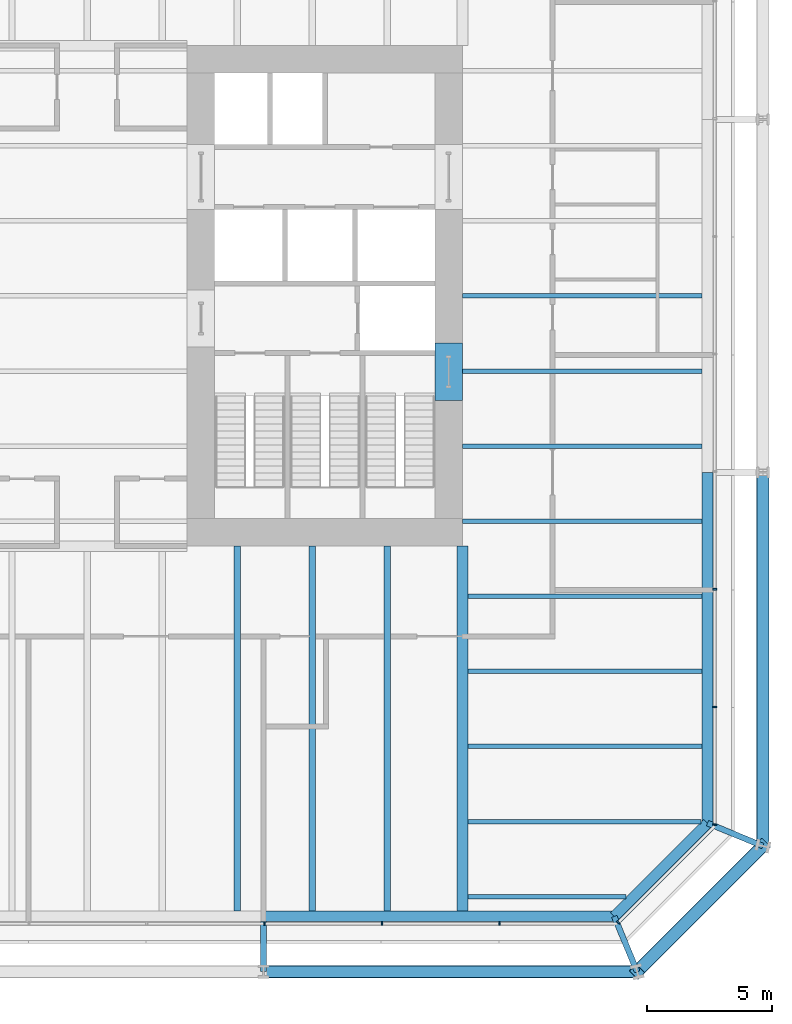
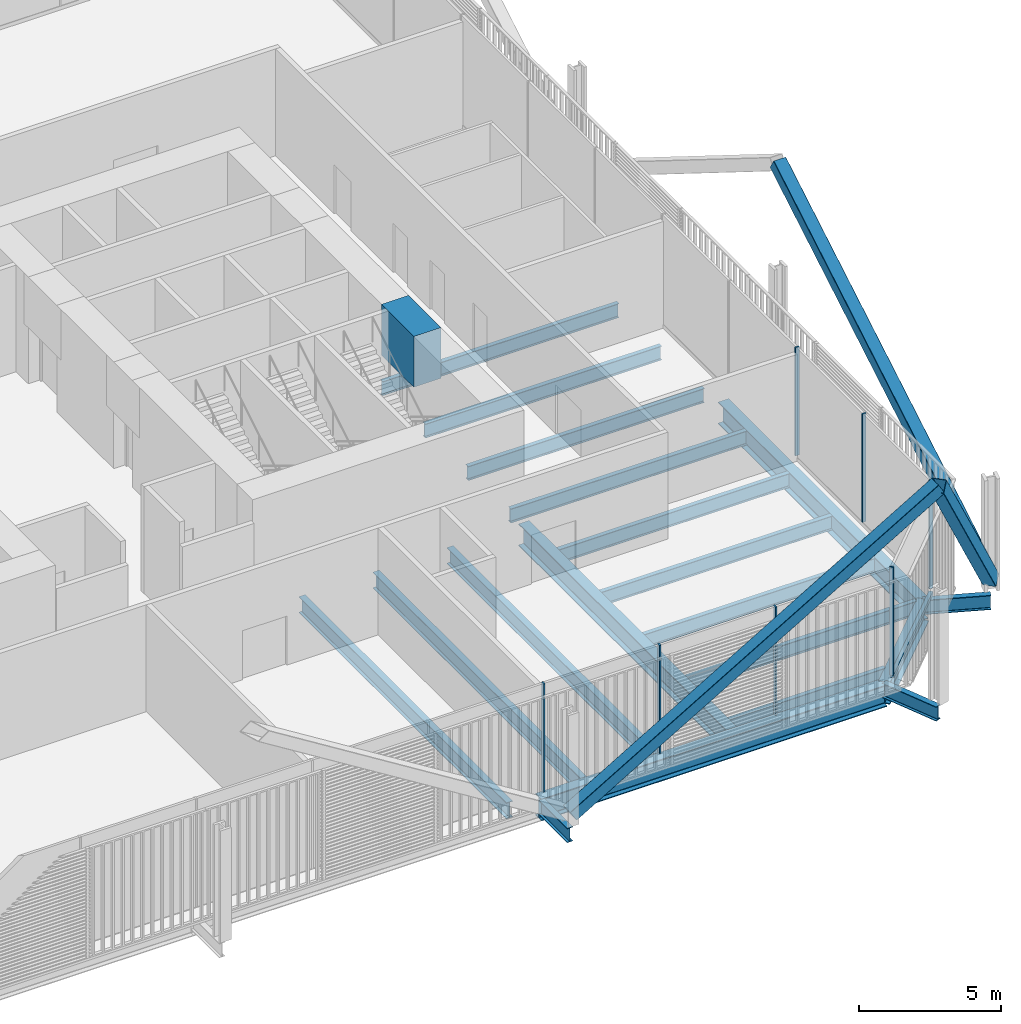
# One storey, part 8 of 22: 20 beams, 11 members, 3 elements without a shape of their own.
"""IFC4 building model written with IfcOpenShell, lengths in metres."""

from ifc_helpers import new_model, si_unit, direction, frame, origin, origin_2d, place, context, subcontext, project, spatial, rectangle, hollow_rectangle, i_section, extrude, material, layer, layer_set, material_profile, profile_set, type_object, element, aggregate, save


model = new_model("IFC4")

# Units and contexts
model_context = context("Model", 3, precision=1e-05, world=origin(), true_north=direction((0.0, 1.0)))
body_context = subcontext(model_context, "Body", "Model", "MODEL_VIEW")
ifc_project = project(units=[si_unit("LENGTHUNIT", "METRE"), si_unit("AREAUNIT", "SQUARE_METRE"), si_unit("VOLUMEUNIT", "CUBIC_METRE"), si_unit("PLANEANGLEUNIT", "RADIAN"), si_unit("MASSUNIT", "GRAM", prefix="KILO")], contexts=[model_context])

# Site, building, storey
site_placement = place(None, origin())
site = spatial("IfcSite", under=ifc_project, at=site_placement, CompositionType="ELEMENT")
building_placement = place(site_placement, origin())
building = spatial("IfcBuilding", under=site, at=building_placement, Name="Millrace Tower", CompositionType="ELEMENT")
storey_placement = place(building_placement, frame((0.0, 0.0, 44.89990234375)))
storey = spatial("IfcBuildingStorey", under=building, at=storey_placement, Name="L10", CompositionType="ELEMENT", Elevation=44.89990234375)

# Curtain wall, members
ifc_material_1 = material(Name="Aluminium and glass", Category="aluminium")
ifc_layer = layer(ifc_material_1, 0.14990234375)
ifc_layer_set = layer_set([ifc_layer], Name="Aluminium and glass")
curtain_wall_type = type_object("IfcCurtainWallType", Name="CW-2 data hall insulated curtain wall", PredefinedType="NOTDEFINED", material=ifc_layer_set)
placement = place(storey_placement, origin())
curtain_wall_1 = element("IfcCurtainWall", 1, at=placement, inside=storey, type_object=curtain_wall_type, Name="Curtain wall A-F02 L10", PredefinedType="NOTDEFINED")
ifc_material_2 = material(Name="Aluminium", Category="aluminium")
ifc_material_profile_1 = material_profile(ifc_material_2, rectangle(XDim=0.06494140625, YDim=0.14990234375, at=origin_2d()))
ifc_profile_set_1 = profile_set([ifc_material_profile_1], Name="Aluminium")
member_type_1 = type_object("IfcMemberType", Name="CW-2 data hall insulated curtain wall mullion", PredefinedType="MULLION", material=ifc_profile_set_1)
member_1_placement = place(storey_placement, frame((7.08251953125, -25.074951171875, 0.16015625), z_axis=(0.0, 0.0, 1.0), x_axis=(1.0, 0.0, 0.0)))
member_1 = element("IfcMember", 2, at=member_1_placement, type_object=member_type_1, Name="CW2 mullion A-F02.7", PredefinedType="MULLION", context=body_context, shape_type="SweptSolid", body=[
    extrude(rectangle(XDim=0.06494140625, YDim=0.14990234375, at=origin_2d()), origin(), (0.0, 0.0, 1.0), 4.639892578125),
])
member_2_placement = place(storey_placement, frame((11.782470703125, -25.074951171875, 0.16015625), z_axis=(0.0, 0.0, 1.0), x_axis=(1.0, 0.0, 0.0)))
member_2 = element("IfcMember", 3, at=member_2_placement, type_object=member_type_1, Name="CW2 mullion A-F02.8", PredefinedType="MULLION", context=body_context, shape_type="SweptSolid", body=[
    extrude(rectangle(XDim=0.06494140625, YDim=0.14990234375, at=origin_2d()), origin(), (0.0, 0.0, 1.0), 4.639892578125),
])
member_3_placement = place(storey_placement, frame((16.482421875, -25.074951171875, 0.16015625), z_axis=(0.0, 0.0, 1.0), x_axis=(1.0, 0.0, 0.0)))
member_3 = element("IfcMember", 4, at=member_3_placement, type_object=member_type_1, Name="CW2 mullion A-F02.9", PredefinedType="MULLION", context=body_context, shape_type="SweptSolid", body=[
    extrude(rectangle(XDim=0.06494140625, YDim=0.14990234375, at=origin_2d()), origin(), (0.0, 0.0, 1.0), 4.639892578125),
])
aggregate(curtain_wall_1, [member_1, member_2, member_3])

# Curtain wall, member
curtain_wall_2 = element("IfcCurtainWall", 5, at=placement, inside=storey, type_object=curtain_wall_type, Name="Curtain wall A-F03 L10", PredefinedType="NOTDEFINED")
member_4_placement = place(storey_placement, frame((21.22607421875, -25.030029296875, 0.16015625), z_axis=(0.0, 0.0, 1.0), x_axis=(0.707106781187, 0.707106781187, 0.0)))
member_4 = element("IfcMember", 6, at=member_4_placement, type_object=member_type_1, Name="CW2 mullion A-F03.1", PredefinedType="MULLION", context=body_context, shape_type="SweptSolid", body=[
    extrude(rectangle(XDim=0.06494140625, YDim=0.14990234375, at=origin_2d()), origin(), (0.0, 0.0, 1.0), 4.639892578125),
])

# Curtain wall, members
curtain_wall_3 = element("IfcCurtainWall", 7, at=placement, inside=storey, type_object=curtain_wall_type, Name="Curtain wall A-F04 L10", PredefinedType="NOTDEFINED")
member_5_placement = place(storey_placement, frame((25.074951171875, -21.117431640625, 0.16015625), z_axis=(0.0, 0.0, 1.0), x_axis=(0.0, 1.0, 0.0)))
member_5 = element("IfcMember", 8, at=member_5_placement, type_object=member_type_1, Name="CW2 mullion A-F04.1", PredefinedType="MULLION", context=body_context, shape_type="SweptSolid", body=[
    extrude(rectangle(XDim=0.06494140625, YDim=0.14990234375, at=origin_2d()), origin(), (0.0, 0.0, 1.0), 4.639892578125),
])
member_6_placement = place(storey_placement, frame((25.074951171875, -16.41748046875, 0.16015625), z_axis=(0.0, 0.0, 1.0), x_axis=(0.0, 1.0, 0.0)))
member_6 = element("IfcMember", 9, at=member_6_placement, type_object=member_type_1, Name="CW2 mullion A-F04.2", PredefinedType="MULLION", context=body_context, shape_type="SweptSolid", body=[
    extrude(rectangle(XDim=0.06494140625, YDim=0.14990234375, at=origin_2d()), origin(), (0.0, 0.0, 1.0), 4.639892578125),
])
member_7_placement = place(storey_placement, frame((25.074951171875, -11.717529296875, 0.16015625), z_axis=(0.0, 0.0, 1.0), x_axis=(0.0, 1.0, 0.0)))
member_7 = element("IfcMember", 10, at=member_7_placement, type_object=member_type_1, Name="CW2 mullion A-F04.3", PredefinedType="MULLION", context=body_context, shape_type="SweptSolid", body=[
    extrude(rectangle(XDim=0.06494140625, YDim=0.14990234375, at=origin_2d()), origin(), (0.0, 0.0, 1.0), 4.639892578125),
])
aggregate(curtain_wall_3, [member_5, member_6, member_7])

# Member
ifc_material_3 = material(Name="Aluminium", Category="aluminium")
ifc_material_profile_2 = material_profile(ifc_material_3, rectangle(XDim=0.14990234375, YDim=0.159912109375, at=origin_2d()))
ifc_profile_set_2 = profile_set([ifc_material_profile_2], Name="Aluminium")
member_type_2 = type_object("IfcMemberType", Name="CW-2 data hall insulated curtain wall transom", PredefinedType="USERDEFINED", material=ifc_profile_set_2)
member_8_placement = place(storey_placement, frame((21.273681640625, -24.982421875, 0.080078125), z_axis=(0.707106781187, 0.707106781187, 0.0), x_axis=(-0.707106781187, 0.707106781187, 0.0)))
member_8 = element("IfcMember", 11, at=member_8_placement, type_object=member_type_2, Name="CW2 transom A-F03.1", ObjectType="TRANSOM", PredefinedType="USERDEFINED", context=body_context, shape_type="SweptSolid", body=[
    extrude(rectangle(XDim=0.14990234375, YDim=0.159912109375, at=origin_2d()), origin(), (0.0, 0.0, 1.0), 5.244873046875),
])

aggregate(curtain_wall_2, [member_4, member_8])

# Beam
ifc_material_4 = material(Name="Concrete C80", Category="concrete")
ifc_material_profile_3 = material_profile(ifc_material_4, rectangle(XDim=1.10009765625, YDim=2.175048828125, at=origin_2d()))
ifc_profile_set_3 = profile_set([ifc_material_profile_3], Name="Concrete C80")
beam_type_1 = type_object("IfcBeamType", Name="Coupling beam 1100 x 2175 Concrete C80, 1300 opening", PredefinedType="BEAM", material=ifc_profile_set_3)
beam_1_placement = place(storey_placement, frame((14.449951171875, -1.88818359375, 3.487548828125), z_axis=(0.0, -1.0, 0.0), x_axis=(1.0, 0.0, 0.0)))
element("IfcBeam", 12, at=beam_1_placement, inside=storey, type_object=beam_type_1, Name="Coupling beam E L10", PredefinedType="BEAM", context=body_context, shape_type="SweptSolid", body=[
    extrude(rectangle(XDim=1.10009765625, YDim=2.175048828125, at=origin_2d()), origin(), (0.0, 0.0, 1.0), 2.28369140625),
])

# Members
ifc_material_5 = material(Name="Steel ASTM A500 Grade C", Category="steel")
ifc_material_profile_4 = material_profile(ifc_material_5, hollow_rectangle(XDim=0.508056640625, YDim=0.508056640625, WallThickness=0.01904296875, InnerFilletRadius=0.009521484375, OuterFilletRadius=0.028564453125, at=origin_2d()))
ifc_profile_set_4 = profile_set([ifc_material_profile_4], Name="Steel ASTM A500 Grade C")
member_type_3 = type_object("IfcMemberType", Name="Exoskeleton brace HSS20x20x3/4", PredefinedType="BRACE", material=ifc_profile_set_4)
member_9_placement = place(storey_placement, frame((7.050048828125, -27.0, 0.400146484375), z_axis=(0.861464835883, 0.0, 0.507817227491), x_axis=(0.0, 1.0, 0.0)))
element("IfcMember", 13, at=member_9_placement, inside=storey, type_object=member_type_3, Name="BRC-A-L10-04", PredefinedType="BRACE", context=body_context, shape_type="SweptSolid", body=[
    extrude(hollow_rectangle(XDim=0.508056640625, YDim=0.508056640625, WallThickness=0.01904296875, InnerFilletRadius=0.009521484375, OuterFilletRadius=0.028564453125, at=origin_2d()), origin(), (0.0, 0.0, 1.0), 17.3291015625),
])
member_10_placement = place(storey_placement, frame((27.0, -21.978515625, 0.400146484375), z_axis=(-0.444063713793, -0.444063713793, 0.77821259061), x_axis=(0.707106781187, -0.707106781187, 0.0)))
element("IfcMember", 14, at=member_10_placement, inside=storey, type_object=member_type_3, Name="BRC-A-L10-05", PredefinedType="BRACE", context=body_context, shape_type="SweptSolid", body=[
    extrude(hollow_rectangle(XDim=0.508056640625, YDim=0.508056640625, WallThickness=0.01904296875, InnerFilletRadius=0.009521484375, OuterFilletRadius=0.028564453125, at=origin_2d()), origin(), (0.0, 0.0, 1.0), 11.30810546875),
])
member_11_placement = place(storey_placement, frame((27.0, -21.978515625, 0.400146484375), z_axis=(0.0, 0.861464835883, 0.507817227491), x_axis=(-1.0, 0.0, 0.0)))
element("IfcMember", 15, at=member_11_placement, inside=storey, type_object=member_type_3, Name="BRC-A-L10-06", PredefinedType="BRACE", context=body_context, shape_type="SweptSolid", body=[
    extrude(hollow_rectangle(XDim=0.508056640625, YDim=0.508056640625, WallThickness=0.01904296875, InnerFilletRadius=0.009521484375, OuterFilletRadius=0.028564453125, at=origin_2d()), origin(), (0.0, 0.0, 1.0), 17.3291015625),
])

# Beams
ifc_material_6 = material(Name="Steel ASTM A992 Grade 50", Category="steel")
ifc_material_profile_5 = material_profile(ifc_material_6, i_section(OverallWidth=0.177978515625, OverallDepth=0.599365234375, WebThickness=0.010009765625, FlangeThickness=0.012939453125, FilletRadius=0.012939453125, at=origin_2d()))
ifc_profile_set_5 = profile_set([ifc_material_profile_5], Name="Steel ASTM A992 Grade 50")
beam_type_2 = type_object("IfcBeamType", Name="Floor beam W24x55", PredefinedType="JOIST", material=ifc_profile_set_5)
beam_2_placement = place(storey_placement, frame((15.212158203125, -24.0, -0.524658203125), z_axis=(1.0, 0.0, 0.0), x_axis=(0.0, 1.0, 0.0)))
element("IfcBeam", 16, at=beam_2_placement, inside=storey, type_object=beam_type_2, Name="BM-A-L10-S1-S002", PredefinedType="JOIST", context=body_context, shape_type="SweptSolid", body=[
    extrude(i_section(OverallWidth=0.177978515625, OverallDepth=0.599365234375, WebThickness=0.010009765625, FlangeThickness=0.012939453125, FilletRadius=0.012939453125, at=origin_2d()), origin(), (0.0, 0.0, 1.0), 6.317626953125),
])
ifc_material_7 = material(Name="Steel ASTM A992 Grade 50", Category="steel")
ifc_material_profile_6 = material_profile(ifc_material_7, i_section(OverallWidth=0.1787109375, OverallDepth=0.60205078125, WebThickness=0.010986328125, FlangeThickness=0.014892578125, FilletRadius=0.0126953125, at=origin_2d()))
ifc_profile_set_6 = profile_set([ifc_material_profile_6], Name="Steel ASTM A992 Grade 50")
beam_type_3 = type_object("IfcBeamType", Name="Floor beam W24x62", PredefinedType="JOIST", material=ifc_profile_set_6)
for number, where, z_axis, x_axis, name in (
    (17, (15.212158203125, -18.0, -0.52587890625), (1.0, 0.0, 0.0), (0.0, 1.0, 0.0), "BM-A-L10-S1-S006"),
    (18, (15.212158203125, -15.0, -0.52587890625), (1.0, 0.0, 0.0), (0.0, 1.0, 0.0), "BM-A-L10-S1-S008"),
    (19, (15.212158203125, -12.0, -0.52587890625), (1.0, 0.0, 0.0), (0.0, 1.0, 0.0), "BM-A-L10-S1-S010"),
):
    element("IfcBeam", number, at=place(storey_placement, frame(where, z_axis=z_axis, x_axis=x_axis)), inside=storey, type_object=beam_type_3, Name=name, PredefinedType="JOIST", context=body_context, shape_type="SweptSolid", body=[
        extrude(i_section(OverallWidth=0.1787109375, OverallDepth=0.60205078125, WebThickness=0.010986328125, FlangeThickness=0.014892578125, FilletRadius=0.0126953125, at=origin_2d()), origin(), (0.0, 0.0, 1.0), 9.3662109375),
    ])
for number, where, z_axis, x_axis, name in (
    (20, (15.0, -9.0, -0.52587890625), (1.0, 0.0, 0.0), (0.0, 1.0, 0.0), "BM-A-L10-S1-S013"),
    (21, (15.0, -6.0, -0.52587890625), (1.0, 0.0, 0.0), (0.0, 1.0, 0.0), "BM-A-L10-S1-S016"),
    (22, (15.0, -3.0, -0.52587890625), (1.0, 0.0, 0.0), (0.0, 1.0, 0.0), "BM-A-L10-S1-S019"),
    (23, (15.0, 0.0, -0.52587890625), (1.0, 0.0, 0.0), (0.0, 1.0, 0.0), "BM-A-L10-S1-S022"),
):
    element("IfcBeam", number, at=place(storey_placement, frame(where, z_axis=z_axis, x_axis=x_axis)), inside=storey, type_object=beam_type_3, Name=name, PredefinedType="JOIST", context=body_context, shape_type="SweptSolid", body=[
        extrude(i_section(OverallWidth=0.1787109375, OverallDepth=0.60205078125, WebThickness=0.010986328125, FlangeThickness=0.014892578125, FilletRadius=0.0126953125, at=origin_2d()), origin(), (0.0, 0.0, 1.0), 9.578369140625),
    ])
beam_3_placement = place(storey_placement, frame((15.212158203125, -21.0, -0.52587890625), z_axis=(1.0, 0.0, 0.0), x_axis=(0.0, 1.0, 0.0)))
element("IfcBeam", 24, at=beam_3_placement, inside=storey, type_object=beam_type_3, Name="BM-A-L10-S1-S004", PredefinedType="JOIST", context=body_context, shape_type="SweptSolid", body=[
    extrude(i_section(OverallWidth=0.1787109375, OverallDepth=0.60205078125, WebThickness=0.010986328125, FlangeThickness=0.014892578125, FilletRadius=0.0126953125, at=origin_2d()), origin(), (0.0, 0.0, 1.0), 9.317626953125),
])
ifc_material_8 = material(Name="Steel ASTM A992 Grade 50", Category="steel")
ifc_material_profile_7 = material_profile(ifc_material_8, i_section(OverallWidth=0.256591796875, OverallDepth=0.693359375, WebThickness=0.014404296875, FlangeThickness=0.023681640625, FilletRadius=0.01513671875, at=origin_2d()))
ifc_profile_set_7 = profile_set([ifc_material_profile_7], Name="Steel ASTM A992 Grade 50")
beam_type_4 = type_object("IfcBeamType", Name="Floor beam W27x114", PredefinedType="JOIST", material=ifc_profile_set_7)
for number, where, z_axis, x_axis, name in (
    (25, (6.0, -24.578369140625, -0.571533203125), (0.0, 1.0, 0.0), (-1.0, 0.0, 0.0), "BM-A-L10-S1-S055"),
    (26, (9.0, -24.578369140625, -0.571533203125), (0.0, 1.0, 0.0), (-1.0, 0.0, 0.0), "BM-A-L10-S1-S057"),
    (27, (12.0, -24.578369140625, -0.571533203125), (0.0, 1.0, 0.0), (-1.0, 0.0, 0.0), "BM-A-L10-S1-S059"),
):
    element("IfcBeam", number, at=place(storey_placement, frame(where, z_axis=z_axis, x_axis=x_axis)), inside=storey, type_object=beam_type_4, Name=name, PredefinedType="JOIST", context=body_context, shape_type="SweptSolid", body=[
        extrude(i_section(OverallWidth=0.256591796875, OverallDepth=0.693359375, WebThickness=0.014404296875, FlangeThickness=0.023681640625, FilletRadius=0.01513671875, at=origin_2d()), origin(), (0.0, 0.0, 1.0), 14.578369140625),
    ])
ifc_material_9 = material(Name="Steel ASTM A992 Grade 50", Category="steel")
ifc_material_profile_8 = material_profile(ifc_material_9, i_section(OverallWidth=0.424072265625, OverallDepth=0.947509765625, WebThickness=0.02392578125, FlangeThickness=0.042724609375, FilletRadius=0.024169921875, at=origin_2d()))
ifc_profile_set_8 = profile_set([ifc_material_profile_8], Name="Steel ASTM A992 Grade 50")
beam_type_5 = type_object("IfcBeamType", Name="Girder medium span W36x302", PredefinedType="BEAM", material=ifc_profile_set_8)
beam_4_placement = place(storey_placement, frame((15.0, -24.578369140625, -0.69873046875), z_axis=(0.0, 1.0, 0.0), x_axis=(-1.0, 0.0, 0.0)))
element("IfcBeam", 28, at=beam_4_placement, inside=storey, type_object=beam_type_5, Name="BM-A-L10-S1-G063", PredefinedType="BEAM", context=body_context, shape_type="SweptSolid", body=[
    extrude(i_section(OverallWidth=0.424072265625, OverallDepth=0.947509765625, WebThickness=0.02392578125, FlangeThickness=0.042724609375, FilletRadius=0.024169921875, at=origin_2d()), origin(), (0.0, 0.0, 1.0), 14.578369140625),
])
ifc_material_10 = material(Name="Steel ASTM A992 Grade 50", Category="steel")
ifc_material_profile_9 = material_profile(ifc_material_10, i_section(OverallWidth=0.23046875, OverallDepth=0.6171875, WebThickness=0.01318359375, FlangeThickness=0.022216796875, FilletRadius=0.012939453125, at=origin_2d()))
ifc_profile_set_9 = profile_set([ifc_material_profile_9], Name="Steel ASTM A992 Grade 50")
beam_type_6 = type_object("IfcBeamType", Name="Link beam W24x94", PredefinedType="BEAM", material=ifc_profile_set_9)
for number, where, z_axis, x_axis, name in (
    (29, (24.7890625, -21.062744140625, -0.533447265625), (0.923883789366, -0.382673155247, 0.0), (0.382673155247, 0.923883789366, 0.0), "LNK-A-L10-S1-12"),
    (30, (21.062744140625, -24.7890625, -0.533447265625), (0.382673155247, -0.923883789366, 0.0), (0.923883789366, 0.382673155247, 0.0), "LNK-A-L10-S1-13"),
):
    element("IfcBeam", number, at=place(storey_placement, frame(where, z_axis=z_axis, x_axis=x_axis)), inside=storey, type_object=beam_type_6, Name=name, PredefinedType="BEAM", context=body_context, shape_type="SweptSolid", body=[
        extrude(i_section(OverallWidth=0.23046875, OverallDepth=0.6171875, WebThickness=0.01318359375, FlangeThickness=0.022216796875, FilletRadius=0.012939453125, at=origin_2d()), origin(), (0.0, 0.0, 1.0), 2.39306640625),
    ])
beam_5_placement = place(storey_placement, frame((7.050048828125, -25.0, -0.533447265625), z_axis=(0.0, -1.0, 0.0), x_axis=(1.0, 0.0, 0.0)))
element("IfcBeam", 31, at=beam_5_placement, inside=storey, type_object=beam_type_6, Name="LNK-A-L10-S1-14", PredefinedType="BEAM", context=body_context, shape_type="SweptSolid", body=[
    extrude(i_section(OverallWidth=0.23046875, OverallDepth=0.6171875, WebThickness=0.01318359375, FlangeThickness=0.022216796875, FilletRadius=0.012939453125, at=origin_2d()), origin(), (0.0, 0.0, 1.0), 2.0),
])
ifc_material_11 = material(Name="Steel ASTM A992 Grade 50", Category="steel")
ifc_material_profile_10 = material_profile(ifc_material_11, i_section(OverallWidth=0.421630859375, OverallDepth=0.937255859375, WebThickness=0.021240234375, FlangeThickness=0.03662109375, FilletRadius=0.024169921875, at=origin_2d()))
ifc_profile_set_10 = profile_set([ifc_material_profile_10], Name="Steel ASTM A992 Grade 50")
beam_type_7 = type_object("IfcBeamType", Name="Ring beam medium span W36x262", PredefinedType="SPANDREL", material=ifc_profile_set_10)
for number, where, z_axis, x_axis, name in (
    (32, (24.7890625, -7.050048828125, -0.693603515625), (0.0, -1.0, 0.0), (1.0, 0.0, 0.0), "RNG-A-L10-S1-11"),
    (33, (21.062744140625, -24.7890625, -0.693603515625), (-1.0, 0.0, 0.0), (0.0, -1.0, 0.0), "RNG-A-L10-S1-13"),
):
    element("IfcBeam", number, at=place(storey_placement, frame(where, z_axis=z_axis, x_axis=x_axis)), inside=storey, type_object=beam_type_7, Name=name, PredefinedType="SPANDREL", context=body_context, shape_type="SweptSolid", body=[
        extrude(i_section(OverallWidth=0.421630859375, OverallDepth=0.937255859375, WebThickness=0.021240234375, FlangeThickness=0.03662109375, FilletRadius=0.024169921875, at=origin_2d()), origin(), (0.0, 0.0, 1.0), 14.0126953125),
    ])
ifc_material_12 = material(Name="Steel ASTM A992 Grade 50", Category="steel")
ifc_material_profile_11 = material_profile(ifc_material_12, i_section(OverallWidth=0.421630859375, OverallDepth=0.937255859375, WebThickness=0.021240234375, FlangeThickness=0.03662109375, FilletRadius=0.024169921875, at=origin_2d()))
ifc_profile_set_11 = profile_set([ifc_material_profile_11], Name="Steel ASTM A992 Grade 50")
beam_type_8 = type_object("IfcBeamType", Name="Ring beam short span W36x262", PredefinedType="SPANDREL", material=ifc_profile_set_11)
beam_6_placement = place(storey_placement, frame((24.7890625, -21.062744140625, -0.693603515625), z_axis=(-0.707106781187, -0.707106781187, 0.0), x_axis=(0.707106781187, -0.707106781187, 0.0)))
element("IfcBeam", 34, at=beam_6_placement, inside=storey, type_object=beam_type_8, Name="RNG-A-L10-S1-12", PredefinedType="SPANDREL", context=body_context, shape_type="SweptSolid", body=[
    extrude(i_section(OverallWidth=0.421630859375, OverallDepth=0.937255859375, WebThickness=0.021240234375, FlangeThickness=0.03662109375, FilletRadius=0.024169921875, at=origin_2d()), origin(), (0.0, 0.0, 1.0), 5.269775390625),
])

save(model, "model.ifc")
